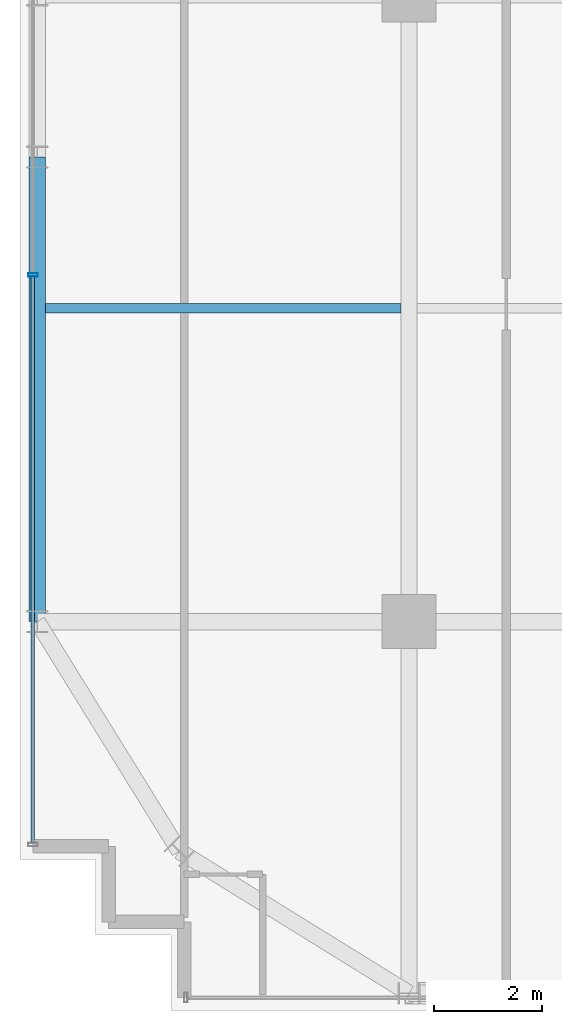
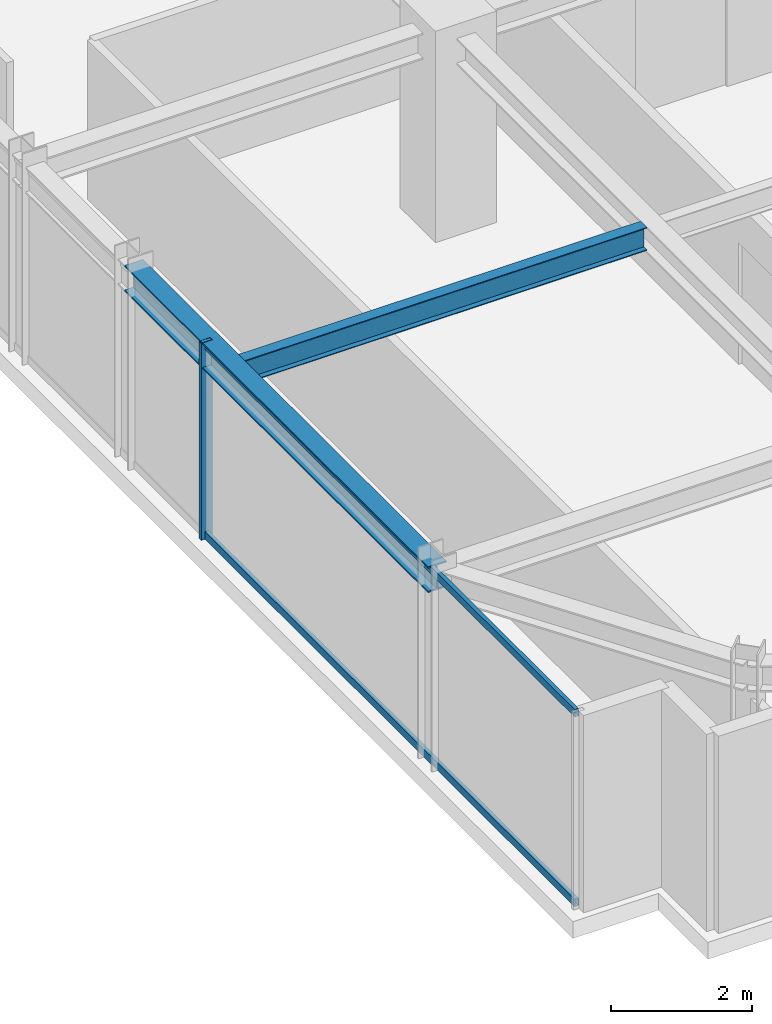
# One storey, part 6 of 36: 3 members, 2 beams, 1 element without a shape of its own.
"""IFC4 building model written with IfcOpenShell, lengths in metres."""

import ifcopenshell
import ifcopenshell.guid

model = None  # the IFC model being written
_history = None  # IfcOwnerHistory: only IFC2X3 demands one
_inside = {}  # id of a spatial element -> (the spatial element, [elements in it])
_under = {}  # id of a project, library or spatial element -> (it, [spatial elements below it])
_declared = {}  # id of a project -> (the project, [libraries it declares])
_typed = {}  # id of a type object -> (the type object, [elements of that type])
_made_of = {}  # id of a material, layer set ... -> (it, [elements and type objects made of it])


def new_model(schema):
    """Start an empty IFC model of exactly this schema.

    Asked for "IFC4X3", IfcOpenShell would pick the latest addendum, in which some entities
    have other attributes; the version numbers below select the first issue.
    IFC2X3 requires an IfcOwnerHistory on every rooted entity: one is made here for all.
    """
    global model, _history
    if schema == "IFC4X3":
        model = ifcopenshell.file(schema_version=(4, 3, 0, 0))
    else:
        model = ifcopenshell.file(schema=schema)
    _inside.clear()
    _under.clear()
    _declared.clear()
    _typed.clear()
    _made_of.clear()
    _history = None
    if model.schema == "IFC2X3":
        org = make("IfcOrganization", Name="unknown")
        user = make(
            "IfcPersonAndOrganization",
            ThePerson=make("IfcPerson", FamilyName="unknown"),
            TheOrganization=org,
        )
        app = make(
            "IfcApplication",
            ApplicationDeveloper=org,
            Version="unknown",
            ApplicationFullName="unknown",
            ApplicationIdentifier="unknown",
        )
        _history = make(
            "IfcOwnerHistory",
            OwningUser=user,
            OwningApplication=app,
            ChangeAction="ADDED",
            CreationDate=0,
        )
    return model


def make(cls, **values):
    """One entity of the class cls with the attributes given. An attribute that is None is left unset."""
    return model.create_entity(
        cls, **{name: value for name, value in values.items() if value is not None}
    )


def rooted(cls, **values):
    """An entity with a GlobalId (a new one), such as an element, a storey or a relation."""
    return make(cls, GlobalId=ifcopenshell.guid.new(), OwnerHistory=_history, **values)


def si_unit(unit_type, name, prefix=None):
    """IfcSIUnit, for example si_unit("LENGTHUNIT", "METRE", prefix="MILLI")."""
    return make("IfcSIUnit", UnitType=unit_type, Prefix=prefix, Name=name)


def assignment(units):
    """IfcUnitAssignment: the units of a project."""
    return None if units is None else make("IfcUnitAssignment", Units=units)


def point(xyz):
    """IfcCartesianPoint."""
    return None if xyz is None else make("IfcCartesianPoint", Coordinates=xyz)


def direction(xyz):
    """IfcDirection."""
    return None if xyz is None else make("IfcDirection", DirectionRatios=xyz)


def frame(location, z_axis=None, x_axis=None):
    """IfcAxis2Placement3D, a coordinate frame: its origin and axes. An axis left out is left unset."""
    return make(
        "IfcAxis2Placement3D",
        Location=point(location),
        Axis=direction(z_axis),
        RefDirection=direction(x_axis),
    )


def frame_2d(location, x_axis=None):
    """IfcAxis2Placement2D, a coordinate frame in the plane: its origin and x axis."""
    return make(
        "IfcAxis2Placement2D", Location=point(location), RefDirection=direction(x_axis)
    )


def origin():
    """The frame at (0, 0, 0) with its axes left unset."""
    return frame((0.0, 0.0, 0.0))


def origin_2d():
    """The frame at (0, 0) in the plane with its x axis left unset."""
    return frame_2d((0.0, 0.0))


def place(relative_to, where):
    """IfcLocalPlacement: puts the frame where relative to a parent placement (None: the world)."""
    return make(
        "IfcLocalPlacement", PlacementRelTo=relative_to, RelativePlacement=where
    )


def context(
    kind, dimensions, precision=None, world=None, true_north=None, identifier=None
):
    """IfcGeometricRepresentationContext, for example the 3D "Model" context."""
    return make(
        "IfcGeometricRepresentationContext",
        ContextIdentifier=identifier,
        ContextType=kind,
        CoordinateSpaceDimension=dimensions,
        Precision=precision,
        WorldCoordinateSystem=world,
        TrueNorth=true_north,
    )


def subcontext(parent, identifier, kind, view, scale=None):
    """IfcGeometricRepresentationSubContext, for example "Body" below "Model"."""
    return make(
        "IfcGeometricRepresentationSubContext",
        ContextIdentifier=identifier,
        ContextType=kind,
        ParentContext=parent,
        TargetScale=scale,
        TargetView=view,
    )


def project(units=None, contexts=None):
    """IfcProject with its units and contexts."""
    return rooted(
        "IfcProject",
        Name="project",
        RepresentationContexts=contexts,
        UnitsInContext=assignment(units),
    )


def spatial(cls, under=None, at=None, **own):
    """A site, building, storey or space (cls), placed at a placement, below another one or the project."""
    s = rooted(cls, ObjectPlacement=at, **own)
    if under is not None:
        _under.setdefault(under.id(), (under, []))[1].append(s)
    return s


def profile(cls, at=None, kind="AREA", **sizes):
    """A parametric profile (cls). Its sizes go by their IFC names, for example OverallWidth=200.0."""
    return make(cls, ProfileType=kind, Position=at, **sizes)


def hollow_rectangle(**sizes):
    """IfcRectangleHollowProfileDef."""
    return profile("IfcRectangleHollowProfileDef", **sizes)


def i_section(**sizes):
    """IfcIShapeProfileDef."""
    return profile("IfcIShapeProfileDef", **sizes)


def extrude(swept, where, along, depth):
    """IfcExtrudedAreaSolid: the profile swept, set in the frame where, extruded along a direction by depth."""
    return make(
        "IfcExtrudedAreaSolid",
        SweptArea=swept,
        Position=where,
        ExtrudedDirection=direction(along),
        Depth=depth,
    )


def shape(context_of_items, identifier, shape_type, items):
    """IfcShapeRepresentation: the items that make up one representation, for example the "Body"."""
    return make(
        "IfcShapeRepresentation",
        ContextOfItems=context_of_items,
        RepresentationIdentifier=identifier,
        RepresentationType=shape_type,
        Items=items,
    )


def source(mapping_origin, context_of_items, identifier, shape_type, items):
    """IfcRepresentationMap: a shape defined once, which mapped items show again and again."""
    return make(
        "IfcRepresentationMap",
        MappingOrigin=mapping_origin,
        MappedRepresentation=shape(context_of_items, identifier, shape_type, items),
    )


def transform(
    local_origin,
    x_axis=None,
    y_axis=None,
    z_axis=None,
    scale=None,
    scale2=None,
    scale3=None,
    uniform=True,
):
    """IfcCartesianTransformationOperator3D, or its non-uniform kind. x_axis, y_axis, z_axis: its Axis1, 2, 3."""
    if uniform:
        return make(
            "IfcCartesianTransformationOperator3D",
            Axis1=direction(x_axis),
            Axis2=direction(y_axis),
            LocalOrigin=point(local_origin),
            Scale=scale,
            Axis3=direction(z_axis),
        )
    return make(
        "IfcCartesianTransformationOperator3DnonUniform",
        Axis1=direction(x_axis),
        Axis2=direction(y_axis),
        LocalOrigin=point(local_origin),
        Scale=scale,
        Axis3=direction(z_axis),
        Scale2=scale2,
        Scale3=scale3,
    )


def mapped(mapping_source, mapping_target):
    """IfcMappedItem: shows the shape of a source again, moved by a transform."""
    return make(
        "IfcMappedItem", MappingSource=mapping_source, MappingTarget=mapping_target
    )


def material(Name=None, Category=None):
    """IfcMaterial."""
    return make("IfcMaterial", Name=Name, Category=Category)


def material_profile(
    of_material, cross_section, Name=None, Category=None, Priority=None
):
    """IfcMaterialProfile: a cross section and its material."""
    return make(
        "IfcMaterialProfile",
        Name=Name,
        Material=of_material,
        Profile=cross_section,
        Priority=Priority,
        Category=Category,
    )


def profile_set(profiles, Name=None, composite=None):
    """IfcMaterialProfileSet."""
    return make(
        "IfcMaterialProfileSet",
        Name=Name,
        MaterialProfiles=profiles,
        CompositeProfile=composite,
    )


def made_of(thing, what):
    """Note that an element or type object is made of a material, layer set ...; save() writes the relation."""
    if what is not None:
        _made_of.setdefault(what.id(), (what, []))[1].append(thing)
    return thing


def type_object(cls, material=None, **own):
    """A type object (cls), such as IfcWallType, which elements share."""
    return made_of(rooted(cls, **own), material)


def element(
    cls,
    number,
    at=None,
    inside=None,
    cuts=None,
    type_object=None,
    material=None,
    context=None,
    identifier="Body",
    shape_type=None,
    held_by="IfcProductDefinitionShape",
    body=None,
    shapes=None,
    **own,
):
    """One element of the class cls, such as IfcWall. Its Tag is "e" and its number.

    at: its placement. inside: the storey or other place that contains it. cuts: it is an
    opening in that element (IfcRelVoidsElement). A single representation is given by context,
    identifier, shape_type and body (its items); several are given by shapes. held_by: the class
    of the entity that holds the representations. save() writes the other relations.
    """
    e = rooted(cls, Tag="e%d" % number, ObjectPlacement=at, **own)
    if body is not None:
        shapes = [shape(context, identifier, shape_type, body)]
    if shapes is not None:
        e.Representation = make(held_by, Representations=shapes)
    if inside is not None:
        _inside.setdefault(inside.id(), (inside, []))[1].append(e)
    if cuts is not None:
        rooted(
            "IfcRelVoidsElement", RelatingBuildingElement=cuts, RelatedOpeningElement=e
        )
    if type_object is not None:
        _typed.setdefault(type_object.id(), (type_object, []))[1].append(e)
    return made_of(e, material)


def aggregate(whole, parts):
    """IfcRelAggregates: a whole, such as a stair, and the parts it consists of."""
    return rooted("IfcRelAggregates", RelatingObject=whole, RelatedObjects=parts)


def save(model, path):
    """Write the relations noted so far, then the file.

    IfcRelAggregates (storeys below a building ...), IfcRelContainedInSpatialStructure (elements
    in a storey), IfcRelDefinesByType, IfcRelAssociatesMaterial and IfcRelDeclares: one each for
    every whole, place, type object, material and project.
    """
    for whole, parts in _under.values():
        aggregate(whole, parts)
    for where, things in _inside.values():
        rooted(
            "IfcRelContainedInSpatialStructure",
            RelatedElements=things,
            RelatingStructure=where,
        )
    for kind, things in _typed.values():
        rooted("IfcRelDefinesByType", RelatedObjects=things, RelatingType=kind)
    for what, things in _made_of.values():
        rooted("IfcRelAssociatesMaterial", RelatedObjects=things, RelatingMaterial=what)
    for by, libraries in _declared.values():
        rooted("IfcRelDeclares", RelatingContext=by, RelatedDefinitions=libraries)
    model.write(path)


model = new_model("IFC4")

# Units and contexts
model_context = context("Model", 3, precision=1e-05, world=origin(), true_north=direction((0.0, 1.0)))
body_context = subcontext(model_context, "Body", "Model", "MODEL_VIEW")
ifc_project = project(units=[si_unit("LENGTHUNIT", "METRE"), si_unit("AREAUNIT", "SQUARE_METRE"), si_unit("VOLUMEUNIT", "CUBIC_METRE"), si_unit("PLANEANGLEUNIT", "RADIAN"), si_unit("MASSUNIT", "GRAM", prefix="KILO")], contexts=[model_context])

# Site, building, storey
site_placement = place(None, origin())
site = spatial("IfcSite", under=ifc_project, at=site_placement, CompositionType="ELEMENT")
building_placement = place(site_placement, origin())
building = spatial("IfcBuilding", under=site, at=building_placement, Name="Nahalor Promenade Grand Hotel", CompositionType="ELEMENT")
storey_placement = place(building_placement, frame((0.0, 0.0, 234.5)))
storey = spatial("IfcBuildingStorey", under=building, at=storey_placement, Name="L60", CompositionType="ELEMENT", Elevation=234.5)

# Beams
ifc_material_1 = material(Name="Steel S355JR", Category="steel")
ifc_material_profile_1 = material_profile(ifc_material_1, i_section(OverallWidth=0.3, OverallDepth=0.45, WebThickness=0.014, FlangeThickness=0.026, at=origin_2d()), Name="HEB 450")
ifc_profile_set_1 = profile_set([ifc_material_profile_1], Name="Steel S355JR")
beam_type_1 = type_object("IfcBeamType", Name="Beam-Spandrel-HEB450", PredefinedType="SPANDREL", material=ifc_profile_set_1)
shared_shape_1 = source(origin(), body_context, "Body", "SweptSolid", [
    extrude(i_section(OverallWidth=0.3, OverallDepth=0.45, WebThickness=0.014, FlangeThickness=0.026, at=origin_2d()), origin(), (0.0, 0.0, 1.0), 8.60009765625),
])
beam_1_placement = place(storey_placement, frame((-23.8798828125, -17.0, 3.18505859375), z_axis=(0.0, 1.0, 0.0), x_axis=(-1.0, 0.0, 0.0)))
element("IfcBeam", 1, at=beam_1_placement, inside=storey, type_object=beam_type_1, Name="BM-L60-SP-W-0", PredefinedType="SPANDREL", context=body_context, shape_type="MappedRepresentation", body=[
    mapped(shared_shape_1, transform((0.0, 0.0, 0.0), scale=1.0)),
])
ifc_material_profile_2 = material_profile(ifc_material_1, i_section(OverallWidth=0.18, OverallDepth=0.4, WebThickness=0.0086, FlangeThickness=0.0135, at=origin_2d()), Name="IPE 400")
ifc_profile_set_2 = profile_set([ifc_material_profile_2], Name="Steel S355JR")
beam_type_2 = type_object("IfcBeamType", Name="Beam-Joist-IPE400", PredefinedType="JOIST", material=ifc_profile_set_2)
shared_shape_2 = source(origin(), body_context, "Body", "SweptSolid", [
    extrude(i_section(OverallWidth=0.18, OverallDepth=0.4, WebThickness=0.0086, FlangeThickness=0.0135, at=origin_2d()), origin(), (0.0, 0.0, 1.0), 6.580078125),
])
beam_2_placement = place(storey_placement, frame((-23.72998046875, -11.199951171875, 3.2099609375), z_axis=(1.0, 0.0, 0.0), x_axis=(0.0, 1.0, 0.0)))
element("IfcBeam", 2, at=beam_2_placement, inside=storey, type_object=beam_type_2, Name="BM-L60-JSW-0-0", PredefinedType="JOIST", context=body_context, shape_type="MappedRepresentation", body=[
    mapped(shared_shape_2, transform((0.0, 0.0, 0.0), scale=1.0)),
])

# Curtain wall, members
ifc_material_2 = material(Name="Anodised Bronze Aluminium EN AW-6063 T6", Category="aluminium")
curtain_wall_type = type_object("IfcCurtainWallType", Name="CW2 Typical Hotel Flush Bronze Unitised Curtain Wall", PredefinedType="USERDEFINED", material=ifc_material_2)
curtain_wall_placement = place(storey_placement, origin())
curtain_wall = element("IfcCurtainWall", 3, at=curtain_wall_placement, inside=storey, type_object=curtain_wall_type, Name="L60 Curtain Wall CW-L60-W-1", ObjectType="UNITISED_CURTAIN_WALL", PredefinedType="USERDEFINED")
ifc_material_profile_3 = material_profile(ifc_material_2, hollow_rectangle(XDim=0.065, YDim=0.13, WallThickness=0.004, at=origin_2d()), Name="CWT 65x130x4")
ifc_profile_set_3 = profile_set([ifc_material_profile_3], Name="Anodised Bronze Aluminium EN AW-6063 T6")
member_type_1 = type_object("IfcMemberType", Name="CWT2 Typical Bronze Transom 65x130", PredefinedType="USERDEFINED", material=ifc_profile_set_3)
shared_shape_3 = source(origin(), body_context, "Body", "SweptSolid", [
    extrude(hollow_rectangle(XDim=0.065, YDim=0.13, WallThickness=0.004, at=origin_2d()), origin(), (0.0, 0.0, 1.0), 10.482421875),
])
member_1_placement = place(storey_placement, frame((-23.9599609375, -21.094970703125, 0.06494140625), z_axis=(0.0, 1.0, 0.0), x_axis=(-1.0, 0.0, 0.0)))
member_1 = element("IfcMember", 4, at=member_1_placement, type_object=member_type_1, Name="CW-L60-W-1 Transom 0-0", ObjectType="TRANSOM", PredefinedType="USERDEFINED", context=body_context, shape_type="MappedRepresentation", body=[
    mapped(shared_shape_3, transform((0.0, 0.0, 0.0), scale=1.0)),
])
member_2_placement = place(storey_placement, frame((-23.9599609375, -21.094970703125, 3.344970703125), z_axis=(0.0, 1.0, 0.0), x_axis=(-1.0, 0.0, 0.0)))
member_2 = element("IfcMember", 5, at=member_2_placement, type_object=member_type_1, Name="CW-L60-W-1 Transom 0-1", ObjectType="TRANSOM", PredefinedType="USERDEFINED", context=body_context, shape_type="MappedRepresentation", body=[
    mapped(shared_shape_3, transform((0.0, 0.0, 0.0), scale=1.0)),
])
ifc_material_profile_4 = material_profile(ifc_material_2, hollow_rectangle(XDim=0.065, YDim=0.18, WallThickness=0.004, at=origin_2d()), Name="CWM 65x180x4")
ifc_profile_set_4 = profile_set([ifc_material_profile_4], Name="Anodised Bronze Aluminium EN AW-6063 T6")
member_type_2 = type_object("IfcMemberType", Name="CWM2 Typical Bronze Mullion 65x180", PredefinedType="MULLION", material=ifc_profile_set_4)
shared_shape_4 = source(origin(), body_context, "Body", "SweptSolid", [
    extrude(hollow_rectangle(XDim=0.065, YDim=0.18, WallThickness=0.004, at=origin_2d()), origin(), (0.0, 0.0, 1.0), 3.409912109375),
])
member_3_placement = place(storey_placement, frame((-23.9599609375, -10.580078125, 0.0), z_axis=(0.0, 0.0, 1.0), x_axis=(0.0, 1.0, 0.0)))
member_3 = element("IfcMember", 6, at=member_3_placement, type_object=member_type_2, Name="CW-L60-W-1 Mullion 1", PredefinedType="MULLION", context=body_context, shape_type="MappedRepresentation", body=[
    mapped(shared_shape_4, transform((0.0, 0.0, 0.0), scale=1.0)),
])
aggregate(curtain_wall, [member_3, member_1, member_2])

save(model, "model.ifc")
